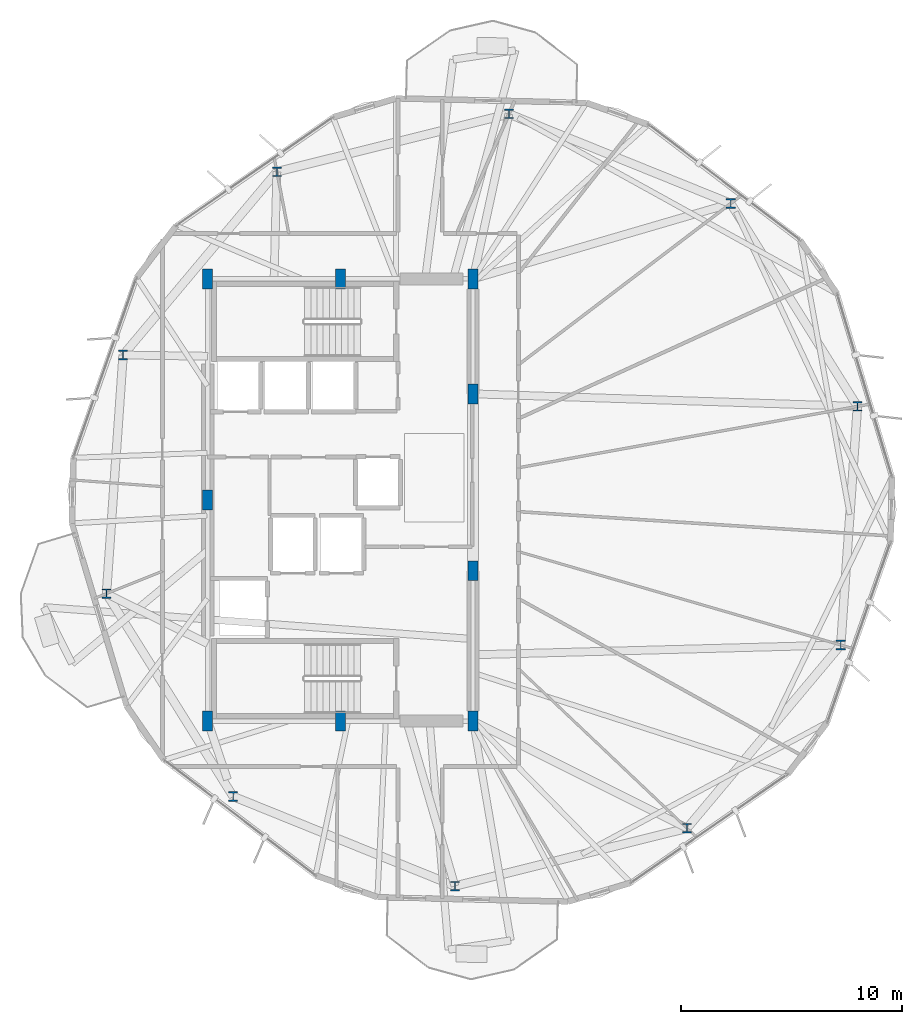
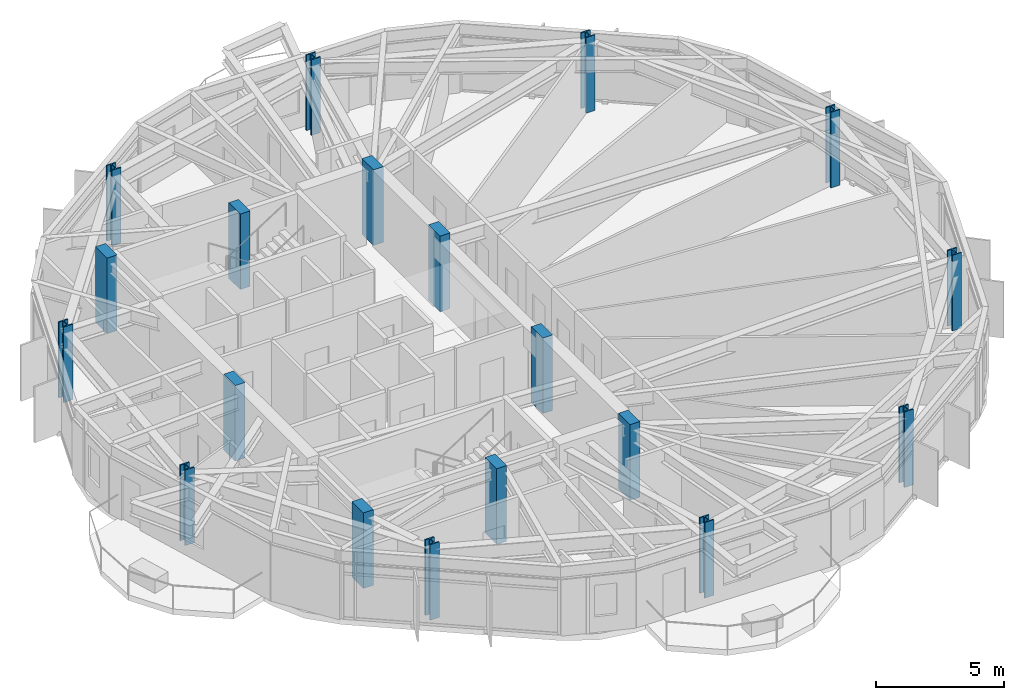
# One storey, part 1 of 22: 19 columns.
"""IFC4 building model written with IfcOpenShell, lengths in metres."""

import ifcopenshell
import ifcopenshell.guid

model = None  # the IFC model being written
_history = None  # IfcOwnerHistory: only IFC2X3 demands one
_inside = {}  # id of a spatial element -> (the spatial element, [elements in it])
_under = {}  # id of a project, library or spatial element -> (it, [spatial elements below it])
_declared = {}  # id of a project -> (the project, [libraries it declares])
_typed = {}  # id of a type object -> (the type object, [elements of that type])
_made_of = {}  # id of a material, layer set ... -> (it, [elements and type objects made of it])


def new_model(schema):
    """Start an empty IFC model of exactly this schema.

    Asked for "IFC4X3", IfcOpenShell would pick the latest addendum, in which some entities
    have other attributes; the version numbers below select the first issue.
    IFC2X3 requires an IfcOwnerHistory on every rooted entity: one is made here for all.
    """
    global model, _history
    if schema == "IFC4X3":
        model = ifcopenshell.file(schema_version=(4, 3, 0, 0))
    else:
        model = ifcopenshell.file(schema=schema)
    _inside.clear()
    _under.clear()
    _declared.clear()
    _typed.clear()
    _made_of.clear()
    _history = None
    if model.schema == "IFC2X3":
        org = make("IfcOrganization", Name="unknown")
        user = make(
            "IfcPersonAndOrganization",
            ThePerson=make("IfcPerson", FamilyName="unknown"),
            TheOrganization=org,
        )
        app = make(
            "IfcApplication",
            ApplicationDeveloper=org,
            Version="unknown",
            ApplicationFullName="unknown",
            ApplicationIdentifier="unknown",
        )
        _history = make(
            "IfcOwnerHistory",
            OwningUser=user,
            OwningApplication=app,
            ChangeAction="ADDED",
            CreationDate=0,
        )
    return model


def make(cls, **values):
    """One entity of the class cls with the attributes given. An attribute that is None is left unset."""
    return model.create_entity(
        cls, **{name: value for name, value in values.items() if value is not None}
    )


def rooted(cls, **values):
    """An entity with a GlobalId (a new one), such as an element, a storey or a relation."""
    return make(cls, GlobalId=ifcopenshell.guid.new(), OwnerHistory=_history, **values)


def si_unit(unit_type, name, prefix=None):
    """IfcSIUnit, for example si_unit("LENGTHUNIT", "METRE", prefix="MILLI")."""
    return make("IfcSIUnit", UnitType=unit_type, Prefix=prefix, Name=name)


def assignment(units):
    """IfcUnitAssignment: the units of a project."""
    return None if units is None else make("IfcUnitAssignment", Units=units)


def point(xyz):
    """IfcCartesianPoint."""
    return None if xyz is None else make("IfcCartesianPoint", Coordinates=xyz)


def direction(xyz):
    """IfcDirection."""
    return None if xyz is None else make("IfcDirection", DirectionRatios=xyz)


def frame(location, z_axis=None, x_axis=None):
    """IfcAxis2Placement3D, a coordinate frame: its origin and axes. An axis left out is left unset."""
    return make(
        "IfcAxis2Placement3D",
        Location=point(location),
        Axis=direction(z_axis),
        RefDirection=direction(x_axis),
    )


def frame_2d(location, x_axis=None):
    """IfcAxis2Placement2D, a coordinate frame in the plane: its origin and x axis."""
    return make(
        "IfcAxis2Placement2D", Location=point(location), RefDirection=direction(x_axis)
    )


def origin():
    """The frame at (0, 0, 0) with its axes left unset."""
    return frame((0.0, 0.0, 0.0))


def origin_2d():
    """The frame at (0, 0) in the plane with its x axis left unset."""
    return frame_2d((0.0, 0.0))


def place(relative_to, where):
    """IfcLocalPlacement: puts the frame where relative to a parent placement (None: the world)."""
    return make(
        "IfcLocalPlacement", PlacementRelTo=relative_to, RelativePlacement=where
    )


def context(
    kind, dimensions, precision=None, world=None, true_north=None, identifier=None
):
    """IfcGeometricRepresentationContext, for example the 3D "Model" context."""
    return make(
        "IfcGeometricRepresentationContext",
        ContextIdentifier=identifier,
        ContextType=kind,
        CoordinateSpaceDimension=dimensions,
        Precision=precision,
        WorldCoordinateSystem=world,
        TrueNorth=true_north,
    )


def subcontext(parent, identifier, kind, view, scale=None):
    """IfcGeometricRepresentationSubContext, for example "Body" below "Model"."""
    return make(
        "IfcGeometricRepresentationSubContext",
        ContextIdentifier=identifier,
        ContextType=kind,
        ParentContext=parent,
        TargetScale=scale,
        TargetView=view,
    )


def project(units=None, contexts=None):
    """IfcProject with its units and contexts."""
    return rooted(
        "IfcProject",
        Name="project",
        RepresentationContexts=contexts,
        UnitsInContext=assignment(units),
    )


def spatial(cls, under=None, at=None, **own):
    """A site, building, storey or space (cls), placed at a placement, below another one or the project."""
    s = rooted(cls, ObjectPlacement=at, **own)
    if under is not None:
        _under.setdefault(under.id(), (under, []))[1].append(s)
    return s


def profile(cls, at=None, kind="AREA", **sizes):
    """A parametric profile (cls). Its sizes go by their IFC names, for example OverallWidth=200.0."""
    return make(cls, ProfileType=kind, Position=at, **sizes)


def rectangle(**sizes):
    """IfcRectangleProfileDef."""
    return profile("IfcRectangleProfileDef", **sizes)


def i_section(**sizes):
    """IfcIShapeProfileDef."""
    return profile("IfcIShapeProfileDef", **sizes)


def extrude(swept, where, along, depth):
    """IfcExtrudedAreaSolid: the profile swept, set in the frame where, extruded along a direction by depth."""
    return make(
        "IfcExtrudedAreaSolid",
        SweptArea=swept,
        Position=where,
        ExtrudedDirection=direction(along),
        Depth=depth,
    )


def shape(context_of_items, identifier, shape_type, items):
    """IfcShapeRepresentation: the items that make up one representation, for example the "Body"."""
    return make(
        "IfcShapeRepresentation",
        ContextOfItems=context_of_items,
        RepresentationIdentifier=identifier,
        RepresentationType=shape_type,
        Items=items,
    )


def material(Name=None, Category=None):
    """IfcMaterial."""
    return make("IfcMaterial", Name=Name, Category=Category)


def material_profile(
    of_material, cross_section, Name=None, Category=None, Priority=None
):
    """IfcMaterialProfile: a cross section and its material."""
    return make(
        "IfcMaterialProfile",
        Name=Name,
        Material=of_material,
        Profile=cross_section,
        Priority=Priority,
        Category=Category,
    )


def profile_set(profiles, Name=None, composite=None):
    """IfcMaterialProfileSet."""
    return make(
        "IfcMaterialProfileSet",
        Name=Name,
        MaterialProfiles=profiles,
        CompositeProfile=composite,
    )


def made_of(thing, what):
    """Note that an element or type object is made of a material, layer set ...; save() writes the relation."""
    if what is not None:
        _made_of.setdefault(what.id(), (what, []))[1].append(thing)
    return thing


def type_object(cls, material=None, **own):
    """A type object (cls), such as IfcWallType, which elements share."""
    return made_of(rooted(cls, **own), material)


def element(
    cls,
    number,
    at=None,
    inside=None,
    cuts=None,
    type_object=None,
    material=None,
    context=None,
    identifier="Body",
    shape_type=None,
    held_by="IfcProductDefinitionShape",
    body=None,
    shapes=None,
    **own,
):
    """One element of the class cls, such as IfcWall. Its Tag is "e" and its number.

    at: its placement. inside: the storey or other place that contains it. cuts: it is an
    opening in that element (IfcRelVoidsElement). A single representation is given by context,
    identifier, shape_type and body (its items); several are given by shapes. held_by: the class
    of the entity that holds the representations. save() writes the other relations.
    """
    e = rooted(cls, Tag="e%d" % number, ObjectPlacement=at, **own)
    if body is not None:
        shapes = [shape(context, identifier, shape_type, body)]
    if shapes is not None:
        e.Representation = make(held_by, Representations=shapes)
    if inside is not None:
        _inside.setdefault(inside.id(), (inside, []))[1].append(e)
    if cuts is not None:
        rooted(
            "IfcRelVoidsElement", RelatingBuildingElement=cuts, RelatedOpeningElement=e
        )
    if type_object is not None:
        _typed.setdefault(type_object.id(), (type_object, []))[1].append(e)
    return made_of(e, material)


def aggregate(whole, parts):
    """IfcRelAggregates: a whole, such as a stair, and the parts it consists of."""
    return rooted("IfcRelAggregates", RelatingObject=whole, RelatedObjects=parts)


def save(model, path):
    """Write the relations noted so far, then the file.

    IfcRelAggregates (storeys below a building ...), IfcRelContainedInSpatialStructure (elements
    in a storey), IfcRelDefinesByType, IfcRelAssociatesMaterial and IfcRelDeclares: one each for
    every whole, place, type object, material and project.
    """
    for whole, parts in _under.values():
        aggregate(whole, parts)
    for where, things in _inside.values():
        rooted(
            "IfcRelContainedInSpatialStructure",
            RelatedElements=things,
            RelatingStructure=where,
        )
    for kind, things in _typed.values():
        rooted("IfcRelDefinesByType", RelatedObjects=things, RelatingType=kind)
    for what, things in _made_of.values():
        rooted("IfcRelAssociatesMaterial", RelatedObjects=things, RelatingMaterial=what)
    for by, libraries in _declared.values():
        rooted("IfcRelDeclares", RelatingContext=by, RelatedDefinitions=libraries)
    model.write(path)


model = new_model("IFC4")

# Units and contexts
model_context = context("Model", 3, precision=1e-05, world=origin(), true_north=direction((0.0, 1.0)))
body_context = subcontext(model_context, "Body", "Model", "MODEL_VIEW")
ifc_project = project(units=[si_unit("LENGTHUNIT", "METRE"), si_unit("AREAUNIT", "SQUARE_METRE"), si_unit("VOLUMEUNIT", "CUBIC_METRE"), si_unit("PLANEANGLEUNIT", "RADIAN"), si_unit("MASSUNIT", "GRAM", prefix="KILO")], contexts=[model_context])

# Site, building, storey
site_placement = place(None, origin())
site = spatial("IfcSite", under=ifc_project, at=site_placement, CompositionType="ELEMENT")
building_placement = place(site_placement, origin())
building = spatial("IfcBuilding", under=site, at=building_placement, Name="Soratama Intermodal Tower", CompositionType="ELEMENT")
storey_placement = place(building_placement, frame((0.0, 0.0, 160.60009765625)))
storey = spatial("IfcBuildingStorey", under=building, at=storey_placement, Name="L39", CompositionType="ELEMENT", Elevation=160.60009765625)

# Columns
ifc_material_1 = material(Name="Structural steel ASTM A992 Grade 50", Category="steel")
ifc_material_profile_1 = material_profile(ifc_material_1, i_section(OverallWidth=0.412109375, OverallDepth=0.43505859375, WebThickness=0.035888671875, FlangeThickness=0.057373046875, FilletRadius=0.0380859375, at=origin_2d()), Name="W14X311")
ifc_profile_set_1 = profile_set([ifc_material_profile_1], Name="Structural steel ASTM A992 Grade 50")
column_type_1 = type_object("IfcColumnType", Name="COL-ZC-W14X311", PredefinedType="COLUMN", material=ifc_profile_set_1)
for number, where, z_axis, x_axis, name in (
    (1, (61.980224609375, 29.233642578125, 0.0), (0.0, 0.0, 1.0), (1.0, 0.0, 0.0), "L39 Tower Ring Column R01"),
    (2, (56.248779296875, 38.40576171875, 0.0), (0.0, 0.0, 1.0), (1.0, 0.0, 0.0), "L39 Tower Ring Column R02"),
    (3, (46.220703125, 42.45751953125, 0.0), (0.0, 0.0, 1.0), (1.0, 0.0, 0.0), "L39 Tower Ring Column R03"),
    (4, (35.726318359375, 39.8408203125, 0.0), (0.0, 0.0, 1.0), (1.0, 0.0, 0.0), "L39 Tower Ring Column R04"),
    (5, (28.7744140625, 31.5556640625, 0.0), (0.0, 0.0, 1.0), (1.0, 0.0, 0.0), "L39 Tower Ring Column R05"),
    (6, (28.019775390625, 20.766357421875, 0.0), (0.0, 0.0, 1.0), (1.0, 0.0, 0.0), "L39 Tower Ring Column R06"),
    (7, (33.751220703125, 11.59423828125, 0.0), (0.0, 0.0, 1.0), (1.0, 0.0, 0.0), "L39 Tower Ring Column R07"),
    (8, (43.779296875, 7.54248046875, 0.0), (0.0, 0.0, 1.0), (1.0, 0.0, 0.0), "L39 Tower Ring Column R08"),
    (9, (54.273681640625, 10.1591796875, 0.0), (0.0, 0.0, 1.0), (1.0, 0.0, 0.0), "L39 Tower Ring Column R09"),
    (10, (61.2255859375, 18.4443359375, 0.0), (0.0, 0.0, 1.0), (1.0, 0.0, 0.0), "L39 Tower Ring Column R10"),
):
    element("IfcColumn", number, at=place(storey_placement, frame(where, z_axis=z_axis, x_axis=x_axis)), inside=storey, type_object=column_type_1, Name=name, PredefinedType="COLUMN", context=body_context, shape_type="SweptSolid", body=[
        extrude(i_section(OverallWidth=0.412109375, OverallDepth=0.43505859375, WebThickness=0.035888671875, FlangeThickness=0.057373046875, FilletRadius=0.0380859375, at=origin_2d()), origin(), (0.0, 0.0, 1.0), 3.599853515625),
    ])
ifc_material_2 = material(Name="Concrete f'c 56 MPa", Category="concrete")
ifc_material_profile_2 = material_profile(ifc_material_2, rectangle(XDim=0.449951171875, YDim=0.89990234375, at=origin_2d()), Name="RC450X900")
ifc_profile_set_2 = profile_set([ifc_material_profile_2], Name="Concrete f'c 56 MPa")
column_type_2 = type_object("IfcColumnType", Name="PIL-CORE-450X900", PredefinedType="PILASTER", material=ifc_profile_set_2)
for number, where, z_axis, x_axis, name in (
    (11, (32.60009765625, 15.0, 0.0), (0.0, 0.0, 1.0), (1.0, 0.0, 0.0), "L39 Core Pilaster 1"),
    (12, (32.60009765625, 25.0, 0.0), (0.0, 0.0, 1.0), (1.0, 0.0, 0.0), "L39 Core Pilaster 2"),
    (13, (32.60009765625, 35.0, 0.0), (0.0, 0.0, 1.0), (1.0, 0.0, 0.0), "L39 Core Pilaster 3"),
    (14, (38.60009765625, 15.0, 0.0), (0.0, 0.0, 1.0), (1.0, 0.0, 0.0), "L39 Core Pilaster 4"),
    (15, (38.60009765625, 35.0, 0.0), (0.0, 0.0, 1.0), (1.0, 0.0, 0.0), "L39 Core Pilaster 5"),
    (16, (44.60009765625, 15.0, 0.0), (0.0, 0.0, 1.0), (1.0, 0.0, 0.0), "L39 Core Pilaster 6"),
    (17, (44.60009765625, 21.800048828125, 0.0), (0.0, 0.0, 1.0), (1.0, 0.0, 0.0), "L39 Core Pilaster 7"),
    (18, (44.60009765625, 29.800048828125, 0.0), (0.0, 0.0, 1.0), (1.0, 0.0, 0.0), "L39 Core Pilaster 8"),
    (19, (44.60009765625, 35.0, 0.0), (0.0, 0.0, 1.0), (1.0, 0.0, 0.0), "L39 Core Pilaster 9"),
):
    element("IfcColumn", number, at=place(storey_placement, frame(where, z_axis=z_axis, x_axis=x_axis)), inside=storey, type_object=column_type_2, Name=name, PredefinedType="PILASTER", context=body_context, shape_type="SweptSolid", body=[
        extrude(rectangle(XDim=0.449951171875, YDim=0.89990234375, at=origin_2d()), origin(), (0.0, 0.0, 1.0), 3.599853515625),
    ])

save(model, "model.ifc")
